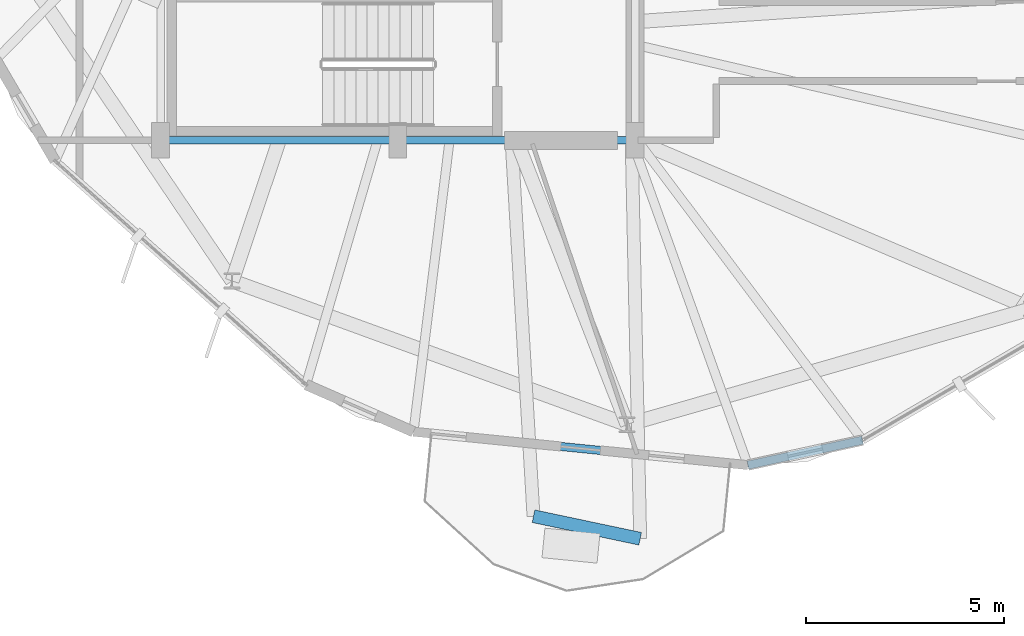
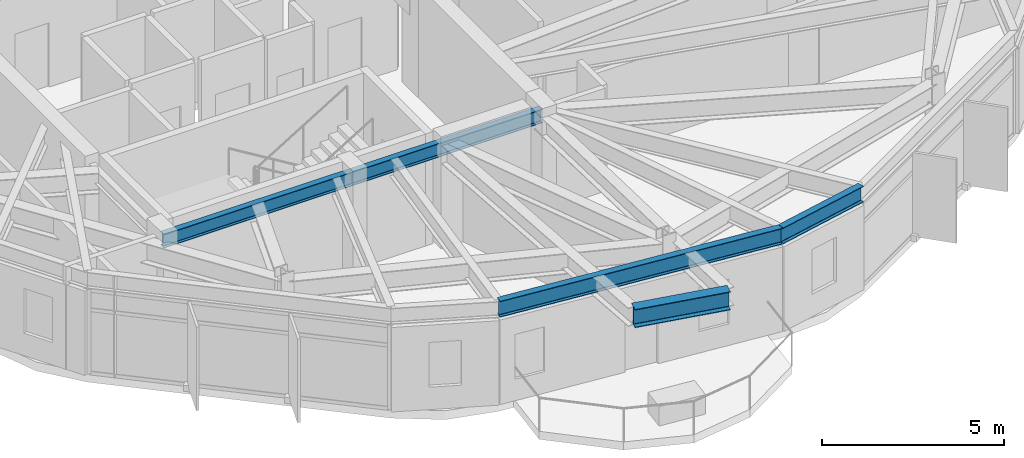
# One storey, part 4 of 25: 5 beams.
"""IFC4 building model written with IfcOpenShell, lengths in metres."""

from ifc_helpers import new_model, si_unit, direction, frame, origin, origin_2d, place, context, subcontext, project, spatial, i_section, extrude, material, material_profile, profile_set, type_object, element, save


model = new_model("IFC4")

# Units and contexts
model_context = context("Model", 3, precision=1e-05, world=origin(), true_north=direction((0.0, 1.0)))
body_context = subcontext(model_context, "Body", "Model", "MODEL_VIEW")
ifc_project = project(units=[si_unit("LENGTHUNIT", "METRE"), si_unit("AREAUNIT", "SQUARE_METRE"), si_unit("VOLUMEUNIT", "CUBIC_METRE"), si_unit("PLANEANGLEUNIT", "RADIAN"), si_unit("MASSUNIT", "GRAM", prefix="KILO")], contexts=[model_context])

# Site, building, storey
site_placement = place(None, origin())
site = spatial("IfcSite", under=ifc_project, at=site_placement, CompositionType="ELEMENT")
building_placement = place(site_placement, origin())
building = spatial("IfcBuilding", under=site, at=building_placement, Name="Soratama Intermodal Tower", CompositionType="ELEMENT")
storey_placement = place(building_placement, frame((0.0, 0.0, 276.25)))
storey = spatial("IfcBuildingStorey", under=building, at=storey_placement, Name="L70", CompositionType="ELEMENT", Elevation=276.25)

# Beams
ifc_material_1 = material(Name="Structural steel ASTM A992 Grade 50", Category="steel")
ifc_material_profile_1 = material_profile(ifc_material_1, i_section(OverallWidth=0.324951171875, OverallDepth=0.615966796875, WebThickness=0.013916015625, FlangeThickness=0.021484375, FilletRadius=0.013916015625, at=origin_2d()), Name="W24X117")
ifc_profile_set_1 = profile_set([ifc_material_profile_1], Name="Structural steel ASTM A992 Grade 50")
beam_type_1 = type_object("IfcBeamType", Name="BM-CANT-W24X117", PredefinedType="BEAM", material=ifc_profile_set_1)
beam_1_placement = place(storey_placement, frame((42.031005859375, 5.4951171875, 3.14208984375), z_axis=(0.978398284101, -0.206728802224, 0.0), x_axis=(0.206728802224, 0.978398284101, 0.0)))
element("IfcBeam", 1, at=beam_1_placement, inside=storey, type_object=beam_type_1, Name="BM-L70-CBHDR-3", PredefinedType="BEAM", context=body_context, shape_type="SweptSolid", body=[
    extrude(i_section(OverallWidth=0.324951171875, OverallDepth=0.615966796875, WebThickness=0.013916015625, FlangeThickness=0.021484375, FilletRadius=0.013916015625, at=origin_2d()), origin(), (0.0, 0.0, 1.0), 2.757568359375),
])
ifc_material_2 = material(Name="Structural steel ASTM A992 Grade 50", Category="steel")
ifc_material_profile_2 = material_profile(ifc_material_2, i_section(OverallWidth=0.19091796875, OverallDepth=0.4599609375, WebThickness=0.010009765625, FlangeThickness=0.01611328125, FilletRadius=0.010986328125, at=origin_2d()), Name="W18X55")
ifc_profile_set_2 = profile_set([ifc_material_profile_2], Name="Structural steel ASTM A992 Grade 50")
beam_type_2 = type_object("IfcBeamType", Name="BM-FLR-W18X55", PredefinedType="BEAM", material=ifc_profile_set_2)
for number, where, z_axis, x_axis, name in (
    (2, (32.60009765625, 15.0, 3.219970703125), (1.0, 0.0, 0.0), (0.0, 1.0, 0.0), "BM-L70-CRING-01"),
    (3, (38.60009765625, 15.0, 3.219970703125), (1.0, 0.0, 0.0), (0.0, 1.0, 0.0), "BM-L70-CRING-02"),
):
    element("IfcBeam", number, at=place(storey_placement, frame(where, z_axis=z_axis, x_axis=x_axis)), inside=storey, type_object=beam_type_2, Name=name, PredefinedType="BEAM", context=body_context, shape_type="SweptSolid", body=[
        extrude(i_section(OverallWidth=0.19091796875, OverallDepth=0.4599609375, WebThickness=0.010009765625, FlangeThickness=0.01611328125, FilletRadius=0.010986328125, at=origin_2d()), origin(), (0.0, 0.0, 1.0), 6.0),
    ])
ifc_material_3 = material(Name="Structural steel ASTM A992 Grade 50", Category="steel")
ifc_material_profile_3 = material_profile(ifc_material_3, i_section(OverallWidth=0.2099609375, OverallDepth=0.537109375, WebThickness=0.010986328125, FlangeThickness=0.017333984375, FilletRadius=0.012939453125, at=origin_2d()), Name="W21X68")
ifc_profile_set_3 = profile_set([ifc_material_profile_3], Name="Structural steel ASTM A992 Grade 50")
beam_type_3 = type_object("IfcBeamType", Name="BM-SPN-W21X68", PredefinedType="SPANDREL", material=ifc_profile_set_3)
beam_2_placement = place(storey_placement, frame((38.9951171875, 7.631103515625, 3.181396484375), z_axis=(0.995043728894, -0.099438310465, 0.0), x_axis=(0.099438310465, 0.995043728894, 0.0)))
element("IfcBeam", 4, at=beam_2_placement, inside=storey, type_object=beam_type_3, Name="BS-L70-F06", PredefinedType="SPANDREL", context=body_context, shape_type="SweptSolid", body=[
    extrude(i_section(OverallWidth=0.2099609375, OverallDepth=0.537109375, WebThickness=0.010986328125, FlangeThickness=0.017333984375, FilletRadius=0.012939453125, at=origin_2d()), origin(), (0.0, 0.0, 1.0), 8.5),
])
beam_3_placement = place(storey_placement, frame((47.452880859375, 6.785888671875, 3.181396484375), z_axis=(0.97704846369, 0.213017134526, 0.0), x_axis=(-0.213017134526, 0.97704846369, 0.0)))
element("IfcBeam", 5, at=beam_3_placement, inside=storey, type_object=beam_type_3, Name="BS-L70-CRN06", PredefinedType="SPANDREL", context=body_context, shape_type="SweptSolid", body=[
    extrude(i_section(OverallWidth=0.2099609375, OverallDepth=0.537109375, WebThickness=0.010986328125, FlangeThickness=0.017333984375, FilletRadius=0.012939453125, at=origin_2d()), origin(), (0.0, 0.0, 1.0), 2.96728515625),
])

save(model, "model.ifc")
